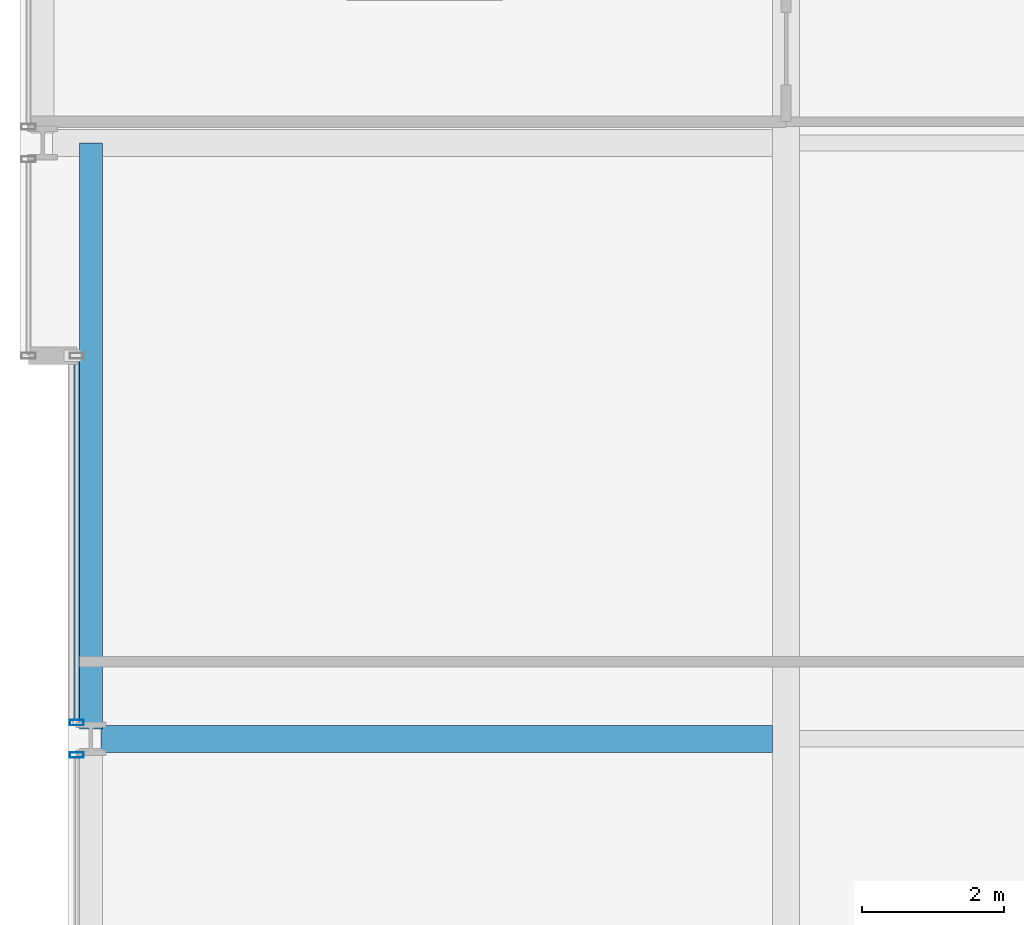
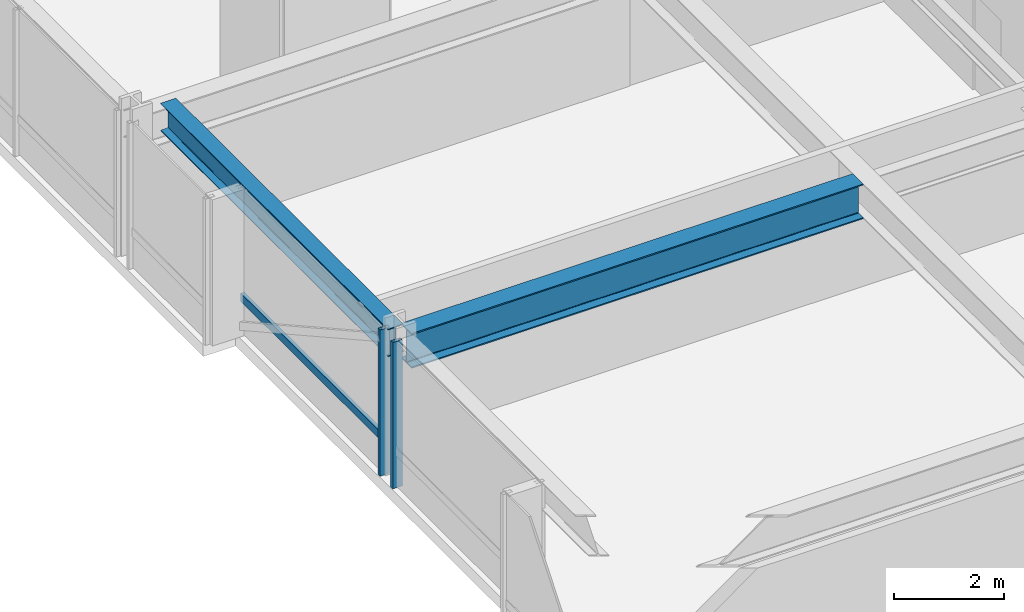
# One storey, part 9 of 38: 3 members, 2 beams, 2 elements without a shape of their own.
"""IFC4 building model written with IfcOpenShell, lengths in metres."""

from ifc_helpers import new_model, si_unit, direction, frame, origin, origin_2d, place, context, subcontext, project, spatial, hollow_rectangle, i_section, extrude, material, layer, layer_set, material_profile, profile_set, type_object, element, aggregate, save


model = new_model("IFC4")

# Units and contexts
model_context = context("Model", 3, precision=1e-05, world=origin(), true_north=direction((0.0, 1.0)))
body_context = subcontext(model_context, "Body", "Model", "MODEL_VIEW")
ifc_project = project(units=[si_unit("LENGTHUNIT", "METRE"), si_unit("AREAUNIT", "SQUARE_METRE"), si_unit("VOLUMEUNIT", "CUBIC_METRE"), si_unit("PLANEANGLEUNIT", "RADIAN"), si_unit("MASSUNIT", "GRAM", prefix="KILO")], contexts=[model_context])

# Site, building, storey
site_placement = place(None, origin())
site = spatial("IfcSite", under=ifc_project, at=site_placement, CompositionType="ELEMENT")
building_placement = place(site_placement, origin())
building = spatial("IfcBuilding", under=site, at=building_placement, Name="Drelvath Grand Hotel", CompositionType="ELEMENT")
storey_placement = place(building_placement, frame((0.0, 0.0, 64.699951171875)))
storey = spatial("IfcBuildingStorey", under=building, at=storey_placement, Name="L15", CompositionType="ELEMENT", Elevation=64.699951171875)

# Curtain wall, member
ifc_material_1 = material(Name="Warm Bronze Anodised Aluminium Frame", Category="aluminium")
ifc_layer = layer(ifc_material_1, 0.199951171875)
ifc_layer_set = layer_set([ifc_layer], Name="Warm Bronze Anodised Aluminium Frame")
curtain_wall_type = type_object("IfcCurtainWallType", Name="Stick Curtain Wall CW-02 Warm Bronze Low-Rise", PredefinedType="NOTDEFINED", material=ifc_layer_set)
curtain_wall_1_placement = place(storey_placement, origin())
curtain_wall_1 = element("IfcCurtainWall", 1, at=curtain_wall_1_placement, inside=storey, type_object=curtain_wall_type, Name="L15 CW-02 Curtain Wall CW02-L15-WM2", PredefinedType="NOTDEFINED")
ifc_material_profile_1 = material_profile(ifc_material_1, hollow_rectangle(XDim=0.074951171875, YDim=0.179931640625, WallThickness=0.0048828125, at=origin_2d()), Name="HSS180X75X5")
ifc_profile_set_1 = profile_set([ifc_material_profile_1], Name="Warm Bronze Anodised Aluminium Frame")
member_type_1 = type_object("IfcMemberType", Name="Curtain Wall Horizontal Transom CW-02 HSS180X75X5", PredefinedType="USERDEFINED", material=ifc_profile_set_1)
member_1_placement = place(storey_placement, frame((-26.199951171875, 27.26904296875, 0.81005859375), z_axis=(0.0, 1.0, 0.0), x_axis=(-1.0, 0.0, 0.0)))
member_1 = element("IfcMember", 2, at=member_1_placement, type_object=member_type_1, Name="CW02-L15-WM2 Sill Transom", ObjectType="TRANSOM", PredefinedType="USERDEFINED", context=body_context, shape_type="SweptSolid", body=[
    extrude(hollow_rectangle(XDim=0.074951171875, YDim=0.179931640625, WallThickness=0.0048828125, at=origin_2d()), origin(), (0.0, 0.0, 1.0), 5.091064453125),
])

curtain_wall_2_placement = place(storey_placement, origin())
curtain_wall_2 = element("IfcCurtainWall", 3, at=curtain_wall_2_placement, inside=storey, type_object=curtain_wall_type, Name="L15 CW-02 Curtain Wall CW02-L15-WM1", PredefinedType="NOTDEFINED")
ifc_material_profile_2 = material_profile(ifc_material_1, hollow_rectangle(XDim=0.080078125, YDim=0.199951171875, WallThickness=0.0048828125, at=origin_2d()), Name="HSS200X80X5")
ifc_profile_set_2 = profile_set([ifc_material_profile_2], Name="Warm Bronze Anodised Aluminium Frame")
member_type_2 = type_object("IfcMemberType", Name="Curtain Wall Vertical Mullion CW-02 HSS200X80X5", PredefinedType="MULLION", material=ifc_profile_set_2)
member_2_placement = place(storey_placement, frame((-26.199951171875, 26.77099609375, 0.0), z_axis=(0.0, 0.0, 1.0), x_axis=(0.0, 1.0, 0.0)))
member_2 = element("IfcMember", 4, at=member_2_placement, type_object=member_type_2, Name="CW02-L15-WM1 Mullion 2", PredefinedType="MULLION", context=body_context, shape_type="SweptSolid", body=[
    extrude(hollow_rectangle(XDim=0.080078125, YDim=0.199951171875, WallThickness=0.0048828125, at=origin_2d()), origin(), (0.0, 0.0, 1.0), 3.239990234375),
])
aggregate(curtain_wall_2, [member_2])

# Member
member_3_placement = place(storey_placement, frame((-26.199951171875, 27.22900390625, 0.0), z_axis=(0.0, 0.0, 1.0), x_axis=(0.0, 1.0, 0.0)))
member_3 = element("IfcMember", 5, at=member_3_placement, type_object=member_type_2, Name="CW02-L15-WM2 Mullion 1", PredefinedType="MULLION", context=body_context, shape_type="SweptSolid", body=[
    extrude(hollow_rectangle(XDim=0.080078125, YDim=0.199951171875, WallThickness=0.0048828125, at=origin_2d()), origin(), (0.0, 0.0, 1.0), 3.239990234375),
])

aggregate(curtain_wall_1, [member_3, member_1])

# Beams
ifc_material_2 = material(Name="Steel ASTM A992 Gr 50", Category="steel")
ifc_material_profile_3 = material_profile(ifc_material_2, i_section(OverallWidth=0.323974609375, OverallDepth=0.611083984375, WebThickness=0.0126953125, FlangeThickness=0.01904296875, FilletRadius=0.02197265625, at=origin_2d()), Name="W24X104")
ifc_profile_set_3 = profile_set([ifc_material_profile_3], Name="Steel ASTM A992 Gr 50")
beam_type_1 = type_object("IfcBeamType", Name="Perimeter Spandrel Beam W24X104", PredefinedType="SPANDREL", material=ifc_profile_set_3)
beam_1_placement = place(storey_placement, frame((-26.0, 27.139892578125, 2.9345703125), z_axis=(0.0, 1.0, 0.0), x_axis=(-1.0, 0.0, 0.0)))
element("IfcBeam", 6, at=beam_1_placement, inside=storey, type_object=beam_type_1, Name="L15 Spandrel West Mid N", PredefinedType="SPANDREL", context=body_context, shape_type="SweptSolid", body=[
    extrude(i_section(OverallWidth=0.323974609375, OverallDepth=0.611083984375, WebThickness=0.0126953125, FlangeThickness=0.01904296875, FilletRadius=0.02197265625, at=origin_2d()), origin(), (0.0, 0.0, 1.0), 8.260009765625),
])
ifc_material_profile_4 = material_profile(ifc_material_2, i_section(OverallWidth=0.380615234375, OverallDepth=0.773193359375, WebThickness=0.0166015625, FlangeThickness=0.027099609375, FilletRadius=0.02490234375, at=origin_2d()), Name="W30X173")
ifc_profile_set_4 = profile_set([ifc_material_profile_4], Name="Steel ASTM A992 Gr 50")
beam_type_2 = type_object("IfcBeamType", Name="Primary Floor Girder W30X173", PredefinedType="BEAM", material=ifc_profile_set_4)
beam_2_placement = place(storey_placement, frame((-25.860107421875, 27.0, 2.853515625), z_axis=(1.0, 0.0, 0.0), x_axis=(0.0, 1.0, 0.0)))
element("IfcBeam", 7, at=beam_2_placement, inside=storey, type_object=beam_type_2, Name="L15 West Wing Girder E", PredefinedType="BEAM", context=body_context, shape_type="SweptSolid", body=[
    extrude(i_section(OverallWidth=0.380615234375, OverallDepth=0.773193359375, WebThickness=0.0166015625, FlangeThickness=0.027099609375, FilletRadius=0.02490234375, at=origin_2d()), origin(), (0.0, 0.0, 1.0), 9.4697265625),
])

save(model, "model.ifc")
